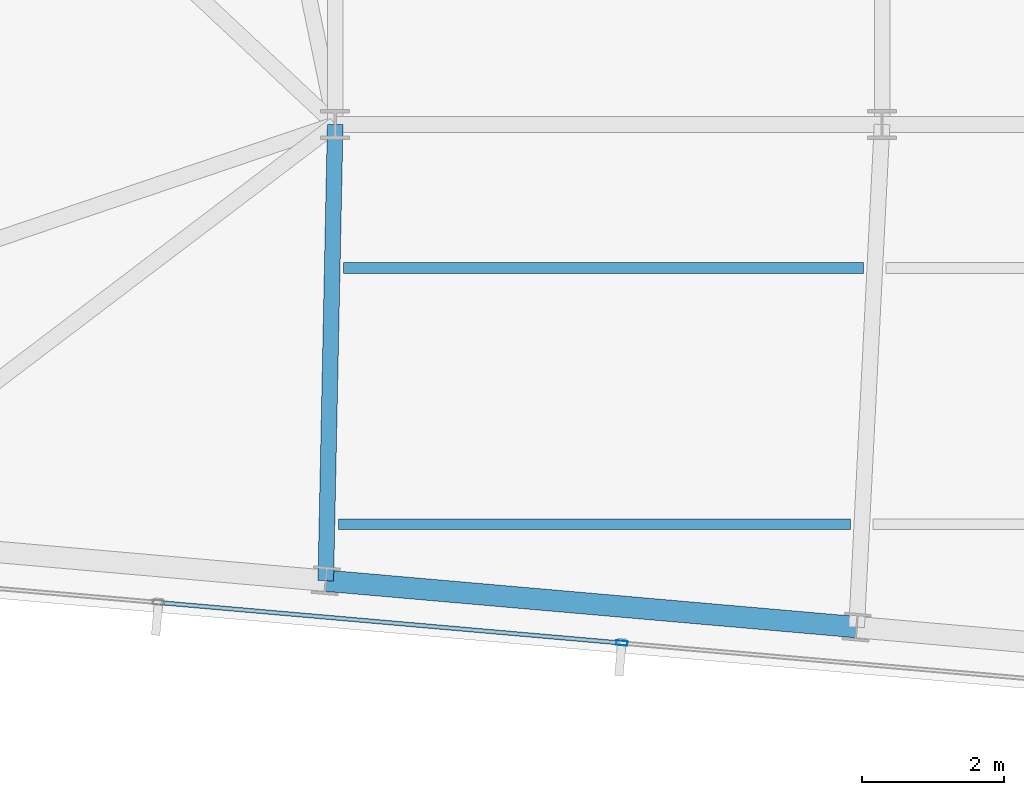
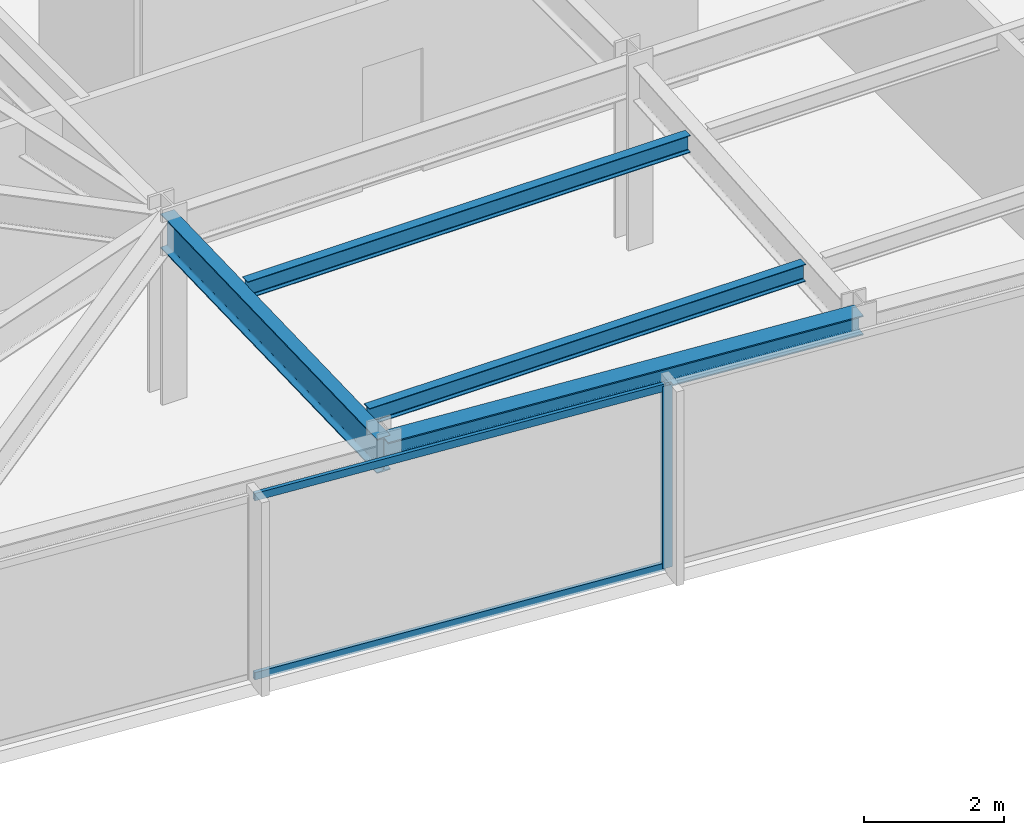
# One storey, part 6 of 32: 4 beams, 3 members, 1 element without a shape of its own.
"""IFC4 building model written with IfcOpenShell, lengths in metres."""

from ifc_helpers import new_model, si_unit, direction, frame, origin, origin_2d, place, context, subcontext, project, spatial, hollow_rectangle, i_section, extrude, material, material_profile, profile_set, type_object, element, aggregate, save


model = new_model("IFC4")

# Units and contexts
model_context = context("Model", 3, precision=1e-05, world=origin(), true_north=direction((0.0, 1.0)))
body_context = subcontext(model_context, "Body", "Model", "MODEL_VIEW")
ifc_project = project(units=[si_unit("LENGTHUNIT", "METRE"), si_unit("AREAUNIT", "SQUARE_METRE"), si_unit("VOLUMEUNIT", "CUBIC_METRE"), si_unit("PLANEANGLEUNIT", "RADIAN"), si_unit("MASSUNIT", "GRAM", prefix="KILO")], contexts=[model_context])

# Site, building, storey
site_placement = place(None, origin())
site = spatial("IfcSite", under=ifc_project, at=site_placement, CompositionType="ELEMENT")
building_placement = place(site_placement, origin())
building = spatial("IfcBuilding", under=site, at=building_placement, Name="Yelkora Congress Tower", CompositionType="ELEMENT")
storey_placement = place(building_placement, frame((0.0, 0.0, 272.699951171875)))
storey = spatial("IfcBuildingStorey", under=building, at=storey_placement, Name="L76", CompositionType="ELEMENT", Elevation=272.699951171875)

# Beams
ifc_material_1 = material(Name="Steel S355J2", Category="steel")
ifc_material_profile_1 = material_profile(ifc_material_1, i_section(OverallWidth=0.219970703125, OverallDepth=0.60009765625, WebThickness=0.011962890625, FlangeThickness=0.01904296875, FilletRadius=0.02392578125, at=origin_2d()), Name="IPE 600")
ifc_profile_set_1 = profile_set([ifc_material_profile_1], Name="Steel S355J2")
beam_type_1 = type_object("IfcBeamType", Name="BM-GIRD-IPE600", PredefinedType="BEAM", material=ifc_profile_set_1)
beam_1_placement = place(storey_placement, frame((22.90771484375, 18.793212890625, 2.880126953125), z_axis=(0.020649509667, 0.999786776143, 0.0), x_axis=(-0.999786776143, 0.020649509667, 0.0)))
element("IfcBeam", 1, at=beam_1_placement, inside=storey, type_object=beam_type_1, Name="L76 Primary Frame Girder S03", PredefinedType="BEAM", context=body_context, shape_type="SweptSolid", body=[
    extrude(i_section(OverallWidth=0.219970703125, OverallDepth=0.60009765625, WebThickness=0.011962890625, FlangeThickness=0.01904296875, FilletRadius=0.02392578125, at=origin_2d()), origin(), (0.0, 0.0, 1.0), 6.408203125),
])
ifc_material_profile_2 = material_profile(ifc_material_1, i_section(OverallWidth=0.14990234375, OverallDepth=0.300048828125, WebThickness=0.007080078125, FlangeThickness=0.0107421875, FilletRadius=0.014892578125, at=origin_2d()), Name="IPE 300")
ifc_profile_set_2 = profile_set([ifc_material_profile_2], Name="Steel S355J2")
beam_type_2 = type_object("IfcBeamType", Name="BM-JOIST-IPE300", PredefinedType="JOIST", material=ifc_profile_set_2)
beam_2_placement = place(storey_placement, frame((23.083984375, 19.58447265625, 3.030029296875), z_axis=(1.0, 0.0, 0.0), x_axis=(0.0, 1.0, 0.0)))
element("IfcBeam", 2, at=beam_2_placement, inside=storey, type_object=beam_type_2, Name="L76 Composite Floor Joist 1", PredefinedType="JOIST", context=body_context, shape_type="SweptSolid", body=[
    extrude(i_section(OverallWidth=0.14990234375, OverallDepth=0.300048828125, WebThickness=0.007080078125, FlangeThickness=0.0107421875, FilletRadius=0.014892578125, at=origin_2d()), origin(), (0.0, 0.0, 1.0), 7.191650390625),
])
beam_3_placement = place(storey_placement, frame((23.158447265625, 23.1845703125, 3.030029296875), z_axis=(1.0, 0.0, 0.0), x_axis=(0.0, 1.0, 0.0)))
element("IfcBeam", 3, at=beam_3_placement, inside=storey, type_object=beam_type_2, Name="L76 Composite Floor Joist 5", PredefinedType="JOIST", context=body_context, shape_type="SweptSolid", body=[
    extrude(i_section(OverallWidth=0.14990234375, OverallDepth=0.300048828125, WebThickness=0.007080078125, FlangeThickness=0.0107421875, FilletRadius=0.014892578125, at=origin_2d()), origin(), (0.0, 0.0, 1.0), 7.299560546875),
])
ifc_material_profile_3 = material_profile(ifc_material_1, i_section(OverallWidth=0.300048828125, OverallDepth=0.340087890625, WebThickness=0.011962890625, FlangeThickness=0.021484375, FilletRadius=0.027099609375, at=origin_2d()), Name="HEB 340")
ifc_profile_set_3 = profile_set([ifc_material_profile_3], Name="Steel S355J2")
beam_type_3 = type_object("IfcBeamType", Name="BM-SPAN-HEB340", PredefinedType="SPANDREL", material=ifc_profile_set_3)
beam_4_placement = place(storey_placement, frame((22.90771484375, 18.793212890625, 3.010009765625), z_axis=(0.99619601894, -0.087140644067, 0.0), x_axis=(0.087140644067, 0.99619601894, 0.0)))
element("IfcBeam", 4, at=beam_4_placement, inside=storey, type_object=beam_type_3, Name="L76 Perimeter Beam 3", PredefinedType="SPANDREL", context=body_context, shape_type="SweptSolid", body=[
    extrude(i_section(OverallWidth=0.300048828125, OverallDepth=0.340087890625, WebThickness=0.011962890625, FlangeThickness=0.021484375, FilletRadius=0.027099609375, at=origin_2d()), origin(), (0.0, 0.0, 1.0), 7.4833984375),
])

# Curtain wall, members
ifc_material_2 = material(Name="Anodised aluminium and insulated glass", Category="aluminium")
curtain_wall_type = type_object("IfcCurtainWallType", Name="CW-SYS-B5", PredefinedType="NOTDEFINED", material=ifc_material_2)
curtain_wall_placement = place(storey_placement, origin())
curtain_wall = element("IfcCurtainWall", 5, at=curtain_wall_placement, inside=storey, type_object=curtain_wall_type, Name="L76 Unitised Curtain Wall 20", PredefinedType="NOTDEFINED")
ifc_material_3 = material(Name="Anodised aluminium 6063-T6", Category="aluminium")
ifc_material_profile_4 = material_profile(ifc_material_3, hollow_rectangle(XDim=0.06494140625, YDim=0.159912109375, WallThickness=0.00390625, at=origin_2d()), Name="ALU 65x160x4")
ifc_profile_set_4 = profile_set([ifc_material_profile_4], Name="Anodised aluminium 6063-T6")
member_type_1 = type_object("IfcMemberType", Name="MEM-ML-B5", PredefinedType="MULLION", material=ifc_profile_set_4)
member_1_placement = place(storey_placement, frame((27.06494140625, 17.917724609375, 0.0), z_axis=(0.0, 0.0, 1.0), x_axis=(-0.087156829793, -0.996194602987, 0.0)))
member_1 = element("IfcMember", 6, at=member_1_placement, type_object=member_type_1, Name="CW-B5 mullion 5", PredefinedType="MULLION", context=body_context, shape_type="SweptSolid", body=[
    extrude(hollow_rectangle(XDim=0.06494140625, YDim=0.159912109375, WallThickness=0.00390625, at=origin_2d()), origin(), (0.0, 0.0, 1.0), 3.179931640625),
])
ifc_material_profile_5 = material_profile(ifc_material_3, hollow_rectangle(XDim=0.06005859375, YDim=0.1298828125, WallThickness=0.00390625, at=origin_2d()), Name="ALU 60x130x4")
ifc_profile_set_5 = profile_set([ifc_material_profile_5], Name="Anodised aluminium 6063-T6")
member_type_2 = type_object("IfcMemberType", Name="MEM-TR-B5", PredefinedType="USERDEFINED", material=ifc_profile_set_5)
member_2_placement = place(storey_placement, frame((27.032470703125, 17.920654296875, 0.030029296875), z_axis=(-0.996196257862, 0.087137912649, 0.0), x_axis=(-0.087137912649, -0.996196257862, 0.0)))
member_2 = element("IfcMember", 7, at=member_2_placement, type_object=member_type_2, Name="CW-B5 transom 5.1", ObjectType="TRANSOM", PredefinedType="USERDEFINED", context=body_context, shape_type="SweptSolid", body=[
    extrude(hollow_rectangle(XDim=0.06005859375, YDim=0.1298828125, WallThickness=0.00390625, at=origin_2d()), origin(), (0.0, 0.0, 1.0), 6.466552734375),
])
member_3_placement = place(storey_placement, frame((27.032470703125, 17.920654296875, 3.150146484375), z_axis=(-0.996196257862, 0.087137912649, 0.0), x_axis=(-0.087137912649, -0.996196257862, 0.0)))
member_3 = element("IfcMember", 8, at=member_3_placement, type_object=member_type_2, Name="CW-B5 transom 5.2", ObjectType="TRANSOM", PredefinedType="USERDEFINED", context=body_context, shape_type="SweptSolid", body=[
    extrude(hollow_rectangle(XDim=0.06005859375, YDim=0.1298828125, WallThickness=0.00390625, at=origin_2d()), origin(), (0.0, 0.0, 1.0), 6.466552734375),
])
aggregate(curtain_wall, [member_1, member_2, member_3])

save(model, "model.ifc")
